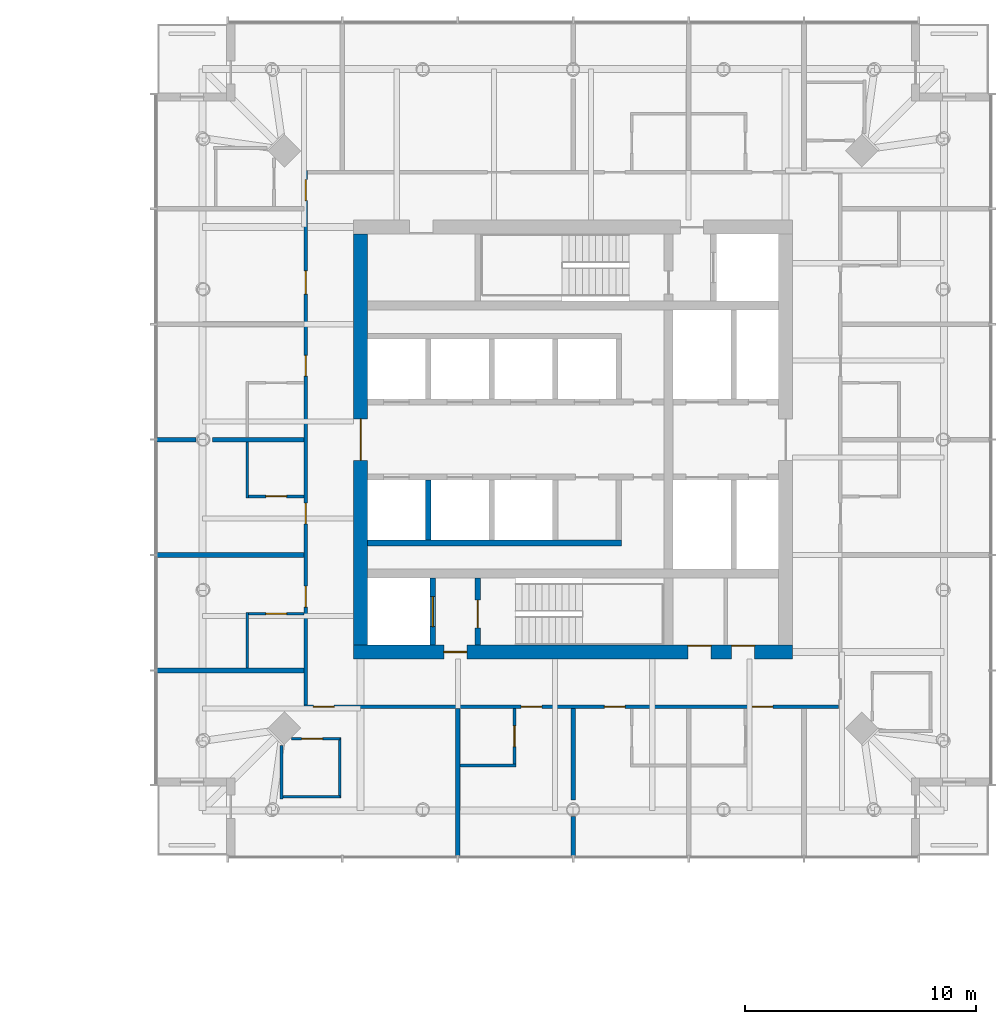
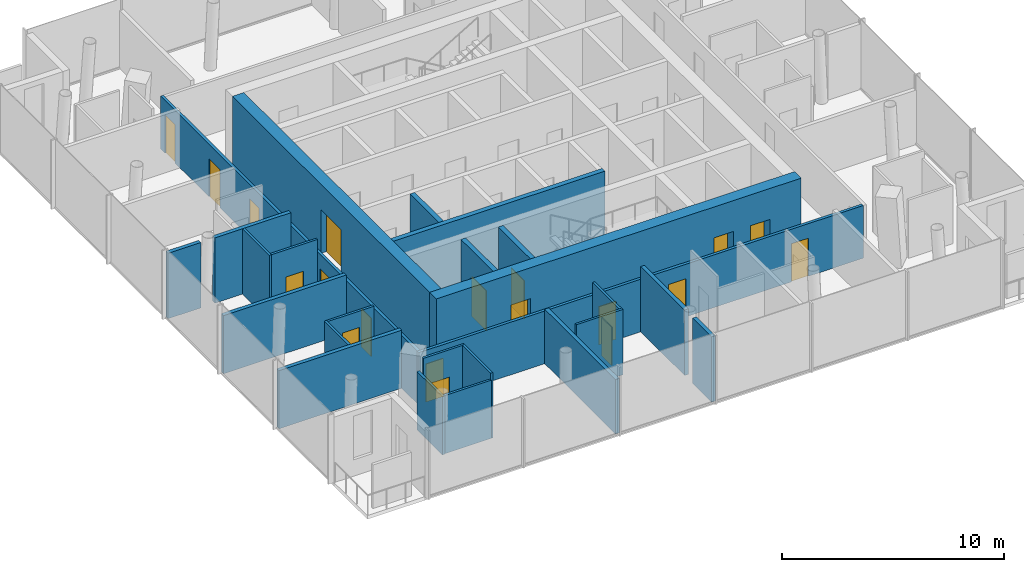
# One storey, part 13 of 27: 25 walls, 19 doors, 19 openings.
"""IFC4 building model written with IfcOpenShell, lengths in metres."""

from ifc_helpers import new_model, si_unit, direction, frame, frame_2d, origin, place, context, subcontext, project, spatial, rectangle, extrude, material, layer, layer_set, type_object, element, fill, save


model = new_model("IFC4")

# Units and contexts
model_context = context("Model", 3, precision=1e-05, world=origin(), true_north=direction((0.0, 1.0)))
body_context = subcontext(model_context, "Body", "Model", "MODEL_VIEW")
ifc_project = project(units=[si_unit("LENGTHUNIT", "METRE"), si_unit("AREAUNIT", "SQUARE_METRE"), si_unit("VOLUMEUNIT", "CUBIC_METRE"), si_unit("PLANEANGLEUNIT", "RADIAN"), si_unit("MASSUNIT", "GRAM", prefix="KILO")], contexts=[model_context])

# Site, building, storey
site_placement = place(None, origin())
site = spatial("IfcSite", under=ifc_project, at=site_placement, CompositionType="ELEMENT")
building_placement = place(site_placement, origin())
building = spatial("IfcBuilding", under=site, at=building_placement, Name="Ostroluk Exchange", CompositionType="ELEMENT")
storey_placement = place(building_placement, frame((0.0, 0.0, 89.39990234375)))
storey = spatial("IfcBuildingStorey", under=building, at=storey_placement, Name="L22", CompositionType="ELEMENT", Elevation=89.39990234375)

# Wall, opening, door
ifc_material_1 = material(Name="Concrete C40/50", Category="concrete")
ifc_layer_1 = layer(ifc_material_1, 0.25)
ifc_layer_set_1 = layer_set([ifc_layer_1], Name="Core shaft wall 250")
wall_type_1 = type_object("IfcWallType", Name="Core shaft wall 250", PredefinedType="SHEAR", material=ifc_layer_set_1)
wall_1_placement = place(storey_placement, frame((110.925048828125, 37.10009765625, 0.0), z_axis=(0.0, 0.0, 1.0), x_axis=(0.0, 1.0, 0.0)))
wall_1 = element("IfcWall", 1, at=wall_1_placement, inside=storey, type_object=wall_type_1, Name="Firefighting lift shaft wall", PredefinedType="SHEAR", context=body_context, shape_type="SweptSolid", body=[
    extrude(rectangle(XDim=2.89990234375, YDim=0.25, at=frame_2d((1.449951171875, 0.0))), origin(), (0.0, 0.0, 1.0), 3.800048828125),
])
opening_1_placement = place(wall_1_placement, frame((0.800048828125, 0.0, 0.0)))
opening_1 = element("IfcOpeningElement", 2, at=opening_1_placement, cuts=wall_1, Name="Opening LD2", PredefinedType="OPENING", context=body_context, shape_type="SweptSolid", body=[
    extrude(rectangle(XDim=1.300048828125, YDim=2.199951171875, at=frame_2d((0.64990234375, 1.10009765625))), frame((0.0, 0.135009765625, 0.0), z_axis=(0.0, -1.0, 0.0), x_axis=(1.0, 0.0, 0.0)), (0.0, 0.0, 1.0), 0.27001953125),
])
ifc_material_2 = material(Name="Stainless steel", Category="steel")
door_type_1 = type_object("IfcDoorType", Name="Lift landing door E 60 1300 x 2200", OperationType="DOUBLE_DOOR_SLIDING", PredefinedType="DOOR", material=ifc_material_2)
door_1_placement = place(opening_1_placement, origin())
door_1 = element("IfcDoor", 3, at=door_1_placement, inside=storey, type_object=door_type_1, Name="Lift HF1 landing door", OperationType="DOUBLE_DOOR_SLIDING", OverallHeight=2.199951171875, OverallWidth=1.300048828125, PredefinedType="DOOR", context=body_context, shape_type="SweptSolid", body=[
    extrude(rectangle(XDim=1.300048828125, YDim=2.199951171875, at=frame_2d((0.64990234375, 1.10009765625))), frame((0.0, 0.02490234375, 0.0), z_axis=(0.0, -1.0, 0.0), x_axis=(1.0, 0.0, 0.0)), (0.0, 0.0, 1.0), 0.050048828125),
])
fill(opening_1, door_1)

wall_2_placement = place(storey_placement, frame((112.875, 37.10009765625, 0.0), z_axis=(0.0, 0.0, 1.0), x_axis=(0.0, 1.0, 0.0)))
wall_2 = element("IfcWall", 4, at=wall_2_placement, inside=storey, type_object=wall_type_1, Name="Stair shaft wall", PredefinedType="SHEAR", context=body_context, shape_type="SweptSolid", body=[
    extrude(rectangle(XDim=2.89990234375, YDim=0.25, at=frame_2d((1.449951171875, 0.0))), origin(), (0.0, 0.0, 1.0), 3.800048828125),
])
opening_2_placement = place(wall_2_placement, frame((0.75, 0.0, 0.0)))
opening_2 = element("IfcOpeningElement", 5, at=opening_2_placement, cuts=wall_2, Name="Opening FD60S", PredefinedType="OPENING", context=body_context, shape_type="SweptSolid", body=[
    extrude(rectangle(XDim=1.199951171875, YDim=2.10009765625, at=frame_2d((0.60009765625, 1.050048828125))), frame((0.0, 0.135009765625, 0.0), z_axis=(0.0, -1.0, 0.0), x_axis=(1.0, 0.0, 0.0)), (0.0, 0.0, 1.0), 0.27001953125),
])
ifc_material_3 = material(Name="Steel", Category="steel")
door_type_2 = type_object("IfcDoorType", Name="Stair door EI 60 1200 x 2100", OperationType="SINGLE_SWING_LEFT", PredefinedType="DOOR", material=ifc_material_3)
door_2_placement = place(opening_2_placement, origin())
door_2 = element("IfcDoor", 6, at=door_2_placement, inside=storey, type_object=door_type_2, Name="Stair T2-S1 door", OperationType="SINGLE_SWING_LEFT", OverallHeight=2.10009765625, OverallWidth=1.199951171875, PredefinedType="DOOR", context=body_context, shape_type="SweptSolid", body=[
    extrude(rectangle(XDim=1.199951171875, YDim=2.10009765625, at=frame_2d((0.60009765625, 1.050048828125))), frame((0.0, 0.02490234375, 0.0), z_axis=(0.0, -1.0, 0.0), x_axis=(1.0, 0.0, 0.0)), (0.0, 0.0, 1.0), 0.050048828125),
])
fill(opening_2, door_2)

# Walls
wall_3_placement = place(storey_placement, frame((110.72509765625, 44.25, 0.0), z_axis=(0.0, 0.0, 1.0), x_axis=(0.0, -1.0, 0.0)))
element("IfcWall", 7, at=wall_3_placement, inside=storey, type_object=wall_type_1, Name="Lift shaft wall", PredefinedType="SHEAR", context=body_context, shape_type="SweptSolid", body=[
    extrude(rectangle(XDim=2.60009765625, YDim=0.25, at=frame_2d((1.300048828125, 0.0))), origin(), (0.0, 0.0, 1.0), 3.800048828125),
])
wall_4_placement = place(storey_placement, frame((108.10009765625, 41.52490234375, 0.0), z_axis=(0.0, 0.0, 1.0), x_axis=(1.0, 0.0, 0.0)))
element("IfcWall", 8, at=wall_4_placement, inside=storey, type_object=wall_type_1, Name="Lift shaft wall", PredefinedType="SHEAR", context=body_context, shape_type="SweptSolid", body=[
    extrude(rectangle(XDim=11.0, YDim=0.25, at=frame_2d((5.5, 0.0))), origin(), (0.0, 0.0, 1.0), 3.800048828125),
])

# Wall, openings, doors
ifc_material_4 = material(Name="Concrete C50/60", Category="concrete")
ifc_layer_2 = layer(ifc_material_4, 0.60009765625)
ifc_layer_set_2 = layer_set([ifc_layer_2], Name="Core wall 600 C50/60")
wall_type_2 = type_object("IfcWallType", Name="Core wall 600 C50/60", PredefinedType="SHEAR", material=ifc_layer_set_2)
wall_5_placement = place(storey_placement, frame((107.5, 36.800048828125, 0.0), z_axis=(0.0, 0.0, 1.0), x_axis=(1.0, 0.0, 0.0)))
wall_5 = element("IfcWall", 9, at=wall_5_placement, inside=storey, type_object=wall_type_2, Name="T2 core wall S", PredefinedType="SHEAR", context=body_context, shape_type="SweptSolid", body=[
    extrude(rectangle(XDim=19.0, YDim=0.60009765625, at=frame_2d((9.5, 0.0))), origin(), (0.0, 0.0, 1.0), 3.800048828125),
])
opening_3_placement = place(wall_5_placement, frame((3.89990234375, 0.0, 0.0)))
opening_3 = element("IfcOpeningElement", 10, at=opening_3_placement, cuts=wall_5, Name="Opening FD60", PredefinedType="OPENING", context=body_context, shape_type="SweptSolid", body=[
    extrude(rectangle(XDim=1.0, YDim=2.10009765625, at=frame_2d((0.5, 1.050048828125))), frame((0.0, 0.31005859375, 0.0), z_axis=(0.0, -1.0, 0.0), x_axis=(1.0, 0.0, 0.0)), (0.0, 0.0, 1.0), 0.6201171875),
])
opening_4_placement = place(wall_5_placement, frame((14.472412109375, 0.0, 0.0)))
opening_4 = element("IfcOpeningElement", 11, at=opening_4_placement, cuts=wall_5, Name="Opening FD60", PredefinedType="OPENING", context=body_context, shape_type="SweptSolid", body=[
    extrude(rectangle(XDim=1.0, YDim=2.10009765625, at=frame_2d((0.5, 1.050048828125))), frame((0.0, 0.31005859375, 0.0), z_axis=(0.0, -1.0, 0.0), x_axis=(1.0, 0.0, 0.0)), (0.0, 0.0, 1.0), 0.6201171875),
])
opening_5_placement = place(wall_5_placement, frame((16.364990234375, 0.0, 0.0)))
opening_5 = element("IfcOpeningElement", 12, at=opening_5_placement, cuts=wall_5, Name="Opening FD60", PredefinedType="OPENING", context=body_context, shape_type="SweptSolid", body=[
    extrude(rectangle(XDim=1.0, YDim=2.10009765625, at=frame_2d((0.5, 1.050048828125))), frame((0.0, 0.31005859375, 0.0), z_axis=(0.0, -1.0, 0.0), x_axis=(1.0, 0.0, 0.0)), (0.0, 0.0, 1.0), 0.6201171875),
])
ifc_material_5 = material(Name="Steel", Category="steel")
door_type_3 = type_object("IfcDoorType", Name="Fire door EI 60 1000 x 2100", OperationType="SINGLE_SWING_LEFT", PredefinedType="DOOR", material=ifc_material_5)
door_3_placement = place(opening_3_placement, origin())
door_3 = element("IfcDoor", 13, at=door_3_placement, inside=storey, type_object=door_type_3, Name="Firefighting lobby door", OperationType="SINGLE_SWING_LEFT", OverallHeight=2.10009765625, OverallWidth=1.0, PredefinedType="DOOR", context=body_context, shape_type="SweptSolid", body=[
    extrude(rectangle(XDim=1.0, YDim=2.10009765625, at=frame_2d((0.5, 1.050048828125))), frame((0.0, 0.02490234375, 0.0), z_axis=(0.0, -1.0, 0.0), x_axis=(1.0, 0.0, 0.0)), (0.0, 0.0, 1.0), 0.050048828125),
])
fill(opening_3, door_3)
door_4_placement = place(opening_4_placement, origin())
door_4 = element("IfcDoor", 14, at=door_4_placement, inside=storey, type_object=door_type_3, Name="Room-service pantry door", OperationType="SINGLE_SWING_RIGHT", OverallHeight=2.10009765625, OverallWidth=1.0, PredefinedType="DOOR", context=body_context, shape_type="SweptSolid", body=[
    extrude(rectangle(XDim=1.0, YDim=2.10009765625, at=frame_2d((0.5, 1.050048828125))), frame((0.0, 0.2900390625, 0.0), z_axis=(0.0, -1.0, 0.0), x_axis=(1.0, 0.0, 0.0)), (0.0, 0.0, 1.0), 0.050048828125),
])
fill(opening_4, door_4)
door_5_placement = place(opening_5_placement, origin())
door_5 = element("IfcDoor", 15, at=door_5_placement, inside=storey, type_object=door_type_3, Name="Guest pantry door", OperationType="SINGLE_SWING_RIGHT", OverallHeight=2.10009765625, OverallWidth=1.0, PredefinedType="DOOR", context=body_context, shape_type="SweptSolid", body=[
    extrude(rectangle(XDim=1.0, YDim=2.10009765625, at=frame_2d((0.5, 1.050048828125))), frame((0.0, 0.2900390625, 0.0), z_axis=(0.0, -1.0, 0.0), x_axis=(1.0, 0.0, 0.0)), (0.0, 0.0, 1.0), 0.050048828125),
])
fill(opening_5, door_5)

# Wall, opening, door
wall_6_placement = place(storey_placement, frame((107.800048828125, 37.10009765625, 0.0), z_axis=(0.0, 0.0, 1.0), x_axis=(0.0, 1.0, 0.0)))
wall_6 = element("IfcWall", 16, at=wall_6_placement, inside=storey, type_object=wall_type_2, Name="T2 core wall W", PredefinedType="SHEAR", context=body_context, shape_type="SweptSolid", body=[
    extrude(rectangle(XDim=17.7998046875, YDim=0.60009765625, at=frame_2d((8.89990234375, 0.0))), origin(), (0.0, 0.0, 1.0), 3.800048828125),
])
opening_6_placement = place(wall_6_placement, frame((8.0, 0.0, 0.0)))
opening_6 = element("IfcOpeningElement", 17, at=opening_6_placement, cuts=wall_6, Name="Opening FD30D", PredefinedType="OPENING", context=body_context, shape_type="SweptSolid", body=[
    extrude(rectangle(XDim=1.800048828125, YDim=2.39990234375, at=frame_2d((0.89990234375, 1.199951171875))), frame((0.0, 0.31005859375, 0.0), z_axis=(0.0, -1.0, 0.0), x_axis=(1.0, 0.0, 0.0)), (0.0, 0.0, 1.0), 0.6201171875),
])
ifc_material_6 = material(Name="Timber", Category="wood")
door_type_4 = type_object("IfcDoorType", Name="Lobby double door EI 30 1800 x 2400", OperationType="DOUBLE_DOOR_SINGLE_SWING", PredefinedType="DOOR", material=ifc_material_6)
door_6_placement = place(opening_6_placement, origin())
door_6 = element("IfcDoor", 18, at=door_6_placement, inside=storey, type_object=door_type_4, Name="Lift lobby doors", OperationType="DOUBLE_DOOR_SINGLE_SWING", OverallHeight=2.39990234375, OverallWidth=1.800048828125, PredefinedType="DOOR", context=body_context, shape_type="SweptSolid", body=[
    extrude(rectangle(XDim=1.800048828125, YDim=2.39990234375, at=frame_2d((0.89990234375, 1.199951171875))), frame((0.0, 0.02490234375, 0.0), z_axis=(0.0, -1.0, 0.0), x_axis=(1.0, 0.0, 0.0)), (0.0, 0.0, 1.0), 0.050048828125),
])
fill(opening_6, door_6)

# Wall
ifc_material_7 = material(Name="Gypsum plasterboard partition, moisture resistant", Category="gypsum")
ifc_layer_3 = layer(ifc_material_7, 0.1201171875)
ifc_layer_set_3 = layer_set([ifc_layer_3], Name="Plasterboard en-suite wall 120")
wall_type_3 = type_object("IfcWallType", Name="Plasterboard en-suite wall 120", PredefinedType="PARTITIONING", material=ifc_layer_set_3)
wall_7_placement = place(storey_placement, frame((102.889892578125, 45.89990234375, 0.0), z_axis=(0.0, 0.0, 1.0), x_axis=(0.0, -1.0, 0.0)))
element("IfcWall", 19, at=wall_7_placement, inside=storey, type_object=wall_type_3, Name="En-suite wall", PredefinedType="PARTITIONING", context=body_context, shape_type="SweptSolid", body=[
    extrude(rectangle(XDim=2.419921875, YDim=0.1201171875, at=frame_2d((1.2099609375, 0.0))), origin(), (0.0, 0.0, 1.0), 3.60009765625),
])

# Wall, opening, door
wall_8_placement = place(storey_placement, frame((105.35009765625, 43.5400390625, 0.0), z_axis=(0.0, 0.0, 1.0), x_axis=(-1.0, 0.0, 0.0)))
wall_8 = element("IfcWall", 20, at=wall_8_placement, inside=storey, type_object=wall_type_3, Name="En-suite wall", PredefinedType="PARTITIONING", context=body_context, shape_type="SweptSolid", body=[
    extrude(rectangle(XDim=2.400146484375, YDim=0.1201171875, at=frame_2d((1.2001953125, 0.0))), origin(), (0.0, 0.0, 1.0), 3.60009765625),
])
opening_7_placement = place(wall_8_placement, frame((0.75, 0.0, 0.0)))
opening_7 = element("IfcOpeningElement", 21, at=opening_7_placement, cuts=wall_8, Name="Opening D-02", PredefinedType="OPENING", context=body_context, shape_type="SweptSolid", body=[
    extrude(rectangle(XDim=0.89990234375, YDim=2.10009765625, at=frame_2d((0.449951171875, 1.050048828125))), frame((0.0, 0.070068359375, 0.0), z_axis=(0.0, -1.0, 0.0), x_axis=(1.0, 0.0, 0.0)), (0.0, 0.0, 1.0), 0.14013671875),
])
ifc_material_8 = material(Name="Timber", Category="wood")
door_type_5 = type_object("IfcDoorType", Name="En-suite door 900 x 2100", OperationType="SINGLE_SWING_LEFT", PredefinedType="DOOR", material=ifc_material_8)
door_7_placement = place(opening_7_placement, origin())
door_7 = element("IfcDoor", 22, at=door_7_placement, inside=storey, type_object=door_type_5, Name="En-suite door 2210", OperationType="SINGLE_SWING_RIGHT", OverallHeight=2.10009765625, OverallWidth=0.89990234375, PredefinedType="DOOR", context=body_context, shape_type="SweptSolid", body=[
    extrude(rectangle(XDim=0.89990234375, YDim=2.10009765625, at=frame_2d((0.449951171875, 1.050048828125))), frame((0.0, 0.02490234375, 0.0), z_axis=(0.0, -1.0, 0.0), x_axis=(1.0, 0.0, 0.0)), (0.0, 0.0, 1.0), 0.050048828125),
])
fill(opening_7, door_7)

# Wall
wall_9_placement = place(storey_placement, frame((102.889892578125, 38.52001953125, 0.0), z_axis=(0.0, 0.0, 1.0), x_axis=(0.0, -1.0, 0.0)))
element("IfcWall", 23, at=wall_9_placement, inside=storey, type_object=wall_type_3, Name="En-suite wall", PredefinedType="PARTITIONING", context=body_context, shape_type="SweptSolid", body=[
    extrude(rectangle(XDim=2.419921875, YDim=0.1201171875, at=frame_2d((1.2099609375, 0.0))), origin(), (0.0, 0.0, 1.0), 3.0),
])

# Wall, opening, door
wall_10_placement = place(storey_placement, frame((105.35009765625, 38.4599609375, 0.0), z_axis=(0.0, 0.0, 1.0), x_axis=(-1.0, 0.0, 0.0)))
wall_10 = element("IfcWall", 24, at=wall_10_placement, inside=storey, type_object=wall_type_3, Name="En-suite wall", PredefinedType="PARTITIONING", context=body_context, shape_type="SweptSolid", body=[
    extrude(rectangle(XDim=2.400146484375, YDim=0.1201171875, at=frame_2d((1.2001953125, 0.0))), origin(), (0.0, 0.0, 1.0), 3.0),
])
opening_8_placement = place(wall_10_placement, frame((0.75, 0.0, 0.0)))
opening_8 = element("IfcOpeningElement", 25, at=opening_8_placement, cuts=wall_10, Name="Opening D-02", PredefinedType="OPENING", context=body_context, shape_type="SweptSolid", body=[
    extrude(rectangle(XDim=0.89990234375, YDim=2.10009765625, at=frame_2d((0.449951171875, 1.050048828125))), frame((0.0, 0.070068359375, 0.0), z_axis=(0.0, -1.0, 0.0), x_axis=(1.0, 0.0, 0.0)), (0.0, 0.0, 1.0), 0.14013671875),
])
door_8_placement = place(opening_8_placement, origin())
door_8 = element("IfcDoor", 26, at=door_8_placement, inside=storey, type_object=door_type_5, Name="En-suite door 2211", OperationType="SINGLE_SWING_RIGHT", OverallHeight=2.10009765625, OverallWidth=0.89990234375, PredefinedType="DOOR", context=body_context, shape_type="SweptSolid", body=[
    extrude(rectangle(XDim=0.89990234375, YDim=2.10009765625, at=frame_2d((0.449951171875, 1.050048828125))), frame((0.0, 0.02490234375, 0.0), z_axis=(0.0, -1.0, 0.0), x_axis=(1.0, 0.0, 0.0)), (0.0, 0.0, 1.0), 0.050048828125),
])
fill(opening_8, door_8)

wall_11_placement = place(storey_placement, frame((106.89990234375, 33.050048828125, 0.0), z_axis=(0.0, 0.0, 1.0), x_axis=(-1.0, 0.0, 0.0)))
wall_11 = element("IfcWall", 27, at=wall_11_placement, inside=storey, type_object=wall_type_3, Name="En-suite wall", PredefinedType="PARTITIONING", context=body_context, shape_type="SweptSolid", body=[
    extrude(rectangle(XDim=2.082763671875, YDim=0.1201171875, at=frame_2d((1.04150390625, 0.0))), origin(), (0.0, 0.0, 1.0), 3.60009765625),
])
opening_9_placement = place(wall_11_placement, frame((0.75, 0.0, 0.0)))
opening_9 = element("IfcOpeningElement", 28, at=opening_9_placement, cuts=wall_11, Name="Opening D-02", PredefinedType="OPENING", context=body_context, shape_type="SweptSolid", body=[
    extrude(rectangle(XDim=0.89990234375, YDim=2.10009765625, at=frame_2d((0.449951171875, 1.050048828125))), frame((0.0, 0.070068359375, 0.0), z_axis=(0.0, -1.0, 0.0), x_axis=(1.0, 0.0, 0.0)), (0.0, 0.0, 1.0), 0.14013671875),
])
door_9_placement = place(opening_9_placement, origin())
door_9 = element("IfcDoor", 29, at=door_9_placement, inside=storey, type_object=door_type_5, Name="En-suite door 2212", OperationType="SINGLE_SWING_RIGHT", OverallHeight=2.10009765625, OverallWidth=0.89990234375, PredefinedType="DOOR", context=body_context, shape_type="SweptSolid", body=[
    extrude(rectangle(XDim=0.89990234375, YDim=2.10009765625, at=frame_2d((0.449951171875, 1.050048828125))), frame((0.0, 0.02490234375, 0.0), z_axis=(0.0, -1.0, 0.0), x_axis=(1.0, 0.0, 0.0)), (0.0, 0.0, 1.0), 0.050048828125),
])
fill(opening_9, door_9)

# Walls
wall_12_placement = place(storey_placement, frame((106.89990234375, 30.530029296875, 0.0), z_axis=(0.0, 0.0, 1.0), x_axis=(-1.0, 0.0, 0.0)))
element("IfcWall", 30, at=wall_12_placement, inside=storey, type_object=wall_type_3, Name="En-suite wall", PredefinedType="PARTITIONING", context=body_context, shape_type="SweptSolid", body=[
    extrude(rectangle(XDim=2.579833984375, YDim=0.1201171875, at=frame_2d((1.2900390625, 0.0))), origin(), (0.0, 0.0, 1.0), 3.2001953125),
])
wall_13_placement = place(storey_placement, frame((104.3798828125, 32.74951171875, 0.0), z_axis=(0.0, 0.0, 1.0), x_axis=(0.0, -1.0, 0.0)))
element("IfcWall", 31, at=wall_13_placement, inside=storey, type_object=wall_type_3, Name="En-suite wall", PredefinedType="PARTITIONING", context=body_context, shape_type="SweptSolid", body=[
    extrude(rectangle(XDim=2.3095703125, YDim=0.1201171875, at=frame_2d((1.15478515625, 0.0))), origin(), (0.0, 0.0, 1.0), 3.2001953125),
])
wall_14_placement = place(storey_placement, frame((106.89990234375, 33.110107421875, 0.0), z_axis=(0.0, 0.0, 1.0), x_axis=(0.0, -1.0, 0.0)))
element("IfcWall", 32, at=wall_14_placement, inside=storey, type_object=wall_type_3, Name="En-suite wall", PredefinedType="PARTITIONING", context=body_context, shape_type="SweptSolid", body=[
    extrude(rectangle(XDim=2.64013671875, YDim=0.1201171875, at=frame_2d((1.320068359375, 0.0))), origin(), (0.0, 0.0, 1.0), 3.60009765625),
])
wall_15_placement = place(storey_placement, frame((112.10009765625, 31.889892578125, 0.0), z_axis=(0.0, 0.0, 1.0), x_axis=(1.0, 0.0, 0.0)))
element("IfcWall", 33, at=wall_15_placement, inside=storey, type_object=wall_type_3, Name="En-suite wall", PredefinedType="PARTITIONING", context=body_context, shape_type="SweptSolid", body=[
    extrude(rectangle(XDim=2.419921875, YDim=0.1201171875, at=frame_2d((1.2099609375, 0.0))), origin(), (0.0, 0.0, 1.0), 3.60009765625),
])

# Wall, opening, door
wall_16_placement = place(storey_placement, frame((114.4599609375, 34.35009765625, 0.0), z_axis=(0.0, 0.0, 1.0), x_axis=(0.0, -1.0, 0.0)))
wall_16 = element("IfcWall", 34, at=wall_16_placement, inside=storey, type_object=wall_type_3, Name="En-suite wall", PredefinedType="PARTITIONING", context=body_context, shape_type="SweptSolid", body=[
    extrude(rectangle(XDim=2.400146484375, YDim=0.1201171875, at=frame_2d((1.2001953125, 0.0))), origin(), (0.0, 0.0, 1.0), 3.60009765625),
])
opening_10_placement = place(wall_16_placement, frame((0.75, 0.0, 0.0)))
opening_10 = element("IfcOpeningElement", 35, at=opening_10_placement, cuts=wall_16, Name="Opening D-02", PredefinedType="OPENING", context=body_context, shape_type="SweptSolid", body=[
    extrude(rectangle(XDim=0.89990234375, YDim=2.10009765625, at=frame_2d((0.449951171875, 1.050048828125))), frame((0.0, 0.070068359375, 0.0), z_axis=(0.0, -1.0, 0.0), x_axis=(1.0, 0.0, 0.0)), (0.0, 0.0, 1.0), 0.14013671875),
])
door_10_placement = place(opening_10_placement, origin())
door_10 = element("IfcDoor", 36, at=door_10_placement, inside=storey, type_object=door_type_5, Name="En-suite door 2213", OperationType="SINGLE_SWING_LEFT", OverallHeight=2.10009765625, OverallWidth=0.89990234375, PredefinedType="DOOR", context=body_context, shape_type="SweptSolid", body=[
    extrude(rectangle(XDim=0.89990234375, YDim=2.10009765625, at=frame_2d((0.449951171875, 1.050048828125))), frame((0.0, 0.02490234375, 0.0), z_axis=(0.0, -1.0, 0.0), x_axis=(1.0, 0.0, 0.0)), (0.0, 0.0, 1.0), 0.050048828125),
])
fill(opening_10, door_10)

# Wall, openings, doors
ifc_material_9 = material(Name="Gypsum plasterboard partition", Category="gypsum")
ifc_layer_4 = layer(ifc_material_9, 0.14990234375)
ifc_layer_set_4 = layer_set([ifc_layer_4], Name="Plasterboard partition 150")
wall_type_4 = type_object("IfcWallType", Name="Plasterboard partition 150", PredefinedType="PARTITIONING", material=ifc_layer_set_4)
wall_17_placement = place(storey_placement, frame((105.425048828125, 57.64990234375, 0.0), z_axis=(0.0, 0.0, 1.0), x_axis=(0.0, -1.0, 0.0)))
wall_17 = element("IfcWall", 37, at=wall_17_placement, inside=storey, type_object=wall_type_4, Name="Corridor wall", PredefinedType="PARTITIONING", context=body_context, shape_type="SweptSolid", body=[
    extrude(rectangle(XDim=23.14990234375, YDim=0.14990234375, at=frame_2d((11.574951171875, 0.0))), origin(), (0.0, 0.0, 1.0), 2.900146484375),
])
opening_11_placement = place(wall_17_placement, frame((0.39990234375, 0.0, 0.0)))
opening_11 = element("IfcOpeningElement", 38, at=opening_11_placement, cuts=wall_17, Name="Opening D-01", PredefinedType="OPENING", context=body_context, shape_type="SweptSolid", body=[
    extrude(rectangle(XDim=0.89990234375, YDim=2.10009765625, at=frame_2d((0.449951171875, 1.050048828125))), frame((0.0, 0.0849609375, 0.0), z_axis=(0.0, -1.0, 0.0), x_axis=(1.0, 0.0, 0.0)), (0.0, 0.0, 1.0), 0.169921875),
])
opening_12_placement = place(wall_17_placement, frame((4.35009765625, 0.0, 0.0)))
opening_12 = element("IfcOpeningElement", 39, at=opening_12_placement, cuts=wall_17, Name="Opening D-03", PredefinedType="OPENING", context=body_context, shape_type="SweptSolid", body=[
    extrude(rectangle(XDim=1.0, YDim=2.10009765625, at=frame_2d((0.5, 1.050048828125))), frame((0.0, 0.0849609375, 0.0), z_axis=(0.0, -1.0, 0.0), x_axis=(1.0, 0.0, 0.0)), (0.0, 0.0, 1.0), 0.169921875),
])
opening_13_placement = place(wall_17_placement, frame((8.0, 0.0, 0.0)))
opening_13 = element("IfcOpeningElement", 40, at=opening_13_placement, cuts=wall_17, Name="Opening D-01", PredefinedType="OPENING", context=body_context, shape_type="SweptSolid", body=[
    extrude(rectangle(XDim=0.89990234375, YDim=2.10009765625, at=frame_2d((0.449951171875, 1.050048828125))), frame((0.0, 0.0849609375, 0.0), z_axis=(0.0, -1.0, 0.0), x_axis=(1.0, 0.0, 0.0)), (0.0, 0.0, 1.0), 0.169921875),
])
opening_14_placement = place(wall_17_placement, frame((14.39990234375, 0.0, 0.0)))
opening_14 = element("IfcOpeningElement", 41, at=opening_14_placement, cuts=wall_17, Name="Opening D-01", PredefinedType="OPENING", context=body_context, shape_type="SweptSolid", body=[
    extrude(rectangle(XDim=0.89990234375, YDim=2.10009765625, at=frame_2d((0.449951171875, 1.050048828125))), frame((0.0, 0.0849609375, 0.0), z_axis=(0.0, -1.0, 0.0), x_axis=(1.0, 0.0, 0.0)), (0.0, 0.0, 1.0), 0.169921875),
])
opening_15_placement = place(wall_17_placement, frame((18.0, 0.0, 0.0)))
opening_15 = element("IfcOpeningElement", 42, at=opening_15_placement, cuts=wall_17, Name="Opening D-01", PredefinedType="OPENING", context=body_context, shape_type="SweptSolid", body=[
    extrude(rectangle(XDim=0.89990234375, YDim=2.10009765625, at=frame_2d((0.449951171875, 1.050048828125))), frame((0.0, 0.0849609375, 0.0), z_axis=(0.0, -1.0, 0.0), x_axis=(1.0, 0.0, 0.0)), (0.0, 0.0, 1.0), 0.169921875),
])
ifc_material_10 = material(Name="Timber", Category="wood")
door_type_6 = type_object("IfcDoorType", Name="Hotel room door EI 30 Sa 900 x 2100", OperationType="SINGLE_SWING_LEFT", PredefinedType="DOOR", material=ifc_material_10)
door_11_placement = place(opening_11_placement, origin())
door_11 = element("IfcDoor", 43, at=door_11_placement, inside=storey, type_object=door_type_6, Name="Room door 2208", OperationType="SINGLE_SWING_LEFT", OverallHeight=2.10009765625, OverallWidth=0.89990234375, PredefinedType="DOOR", context=body_context, shape_type="SweptSolid", body=[
    extrude(rectangle(XDim=0.89990234375, YDim=2.10009765625, at=frame_2d((0.449951171875, 1.050048828125))), frame((0.0, 0.02490234375, 0.0), z_axis=(0.0, -1.0, 0.0), x_axis=(1.0, 0.0, 0.0)), (0.0, 0.0, 1.0), 0.050048828125),
])
fill(opening_11, door_11)
door_12_placement = place(opening_13_placement, origin())
door_12 = element("IfcDoor", 44, at=door_12_placement, inside=storey, type_object=door_type_6, Name="Room door 2209", OperationType="SINGLE_SWING_LEFT", OverallHeight=2.10009765625, OverallWidth=0.89990234375, PredefinedType="DOOR", context=body_context, shape_type="SweptSolid", body=[
    extrude(rectangle(XDim=0.89990234375, YDim=2.10009765625, at=frame_2d((0.449951171875, 1.050048828125))), frame((0.0, 0.02490234375, 0.0), z_axis=(0.0, -1.0, 0.0), x_axis=(1.0, 0.0, 0.0)), (0.0, 0.0, 1.0), 0.050048828125),
])
fill(opening_13, door_12)
door_13_placement = place(opening_14_placement, origin())
door_13 = element("IfcDoor", 45, at=door_13_placement, inside=storey, type_object=door_type_6, Name="Room door 2210", OperationType="SINGLE_SWING_RIGHT", OverallHeight=2.10009765625, OverallWidth=0.89990234375, PredefinedType="DOOR", context=body_context, shape_type="SweptSolid", body=[
    extrude(rectangle(XDim=0.89990234375, YDim=2.10009765625, at=frame_2d((0.449951171875, 1.050048828125))), frame((0.0, 0.02490234375, 0.0), z_axis=(0.0, -1.0, 0.0), x_axis=(1.0, 0.0, 0.0)), (0.0, 0.0, 1.0), 0.050048828125),
])
fill(opening_14, door_13)
door_14_placement = place(opening_15_placement, origin())
door_14 = element("IfcDoor", 46, at=door_14_placement, inside=storey, type_object=door_type_6, Name="Room door 2211", OperationType="SINGLE_SWING_RIGHT", OverallHeight=2.10009765625, OverallWidth=0.89990234375, PredefinedType="DOOR", context=body_context, shape_type="SweptSolid", body=[
    extrude(rectangle(XDim=0.89990234375, YDim=2.10009765625, at=frame_2d((0.449951171875, 1.050048828125))), frame((0.0, 0.02490234375, 0.0), z_axis=(0.0, -1.0, 0.0), x_axis=(1.0, 0.0, 0.0)), (0.0, 0.0, 1.0), 0.050048828125),
])
fill(opening_15, door_14)
ifc_material_11 = material(Name="Timber", Category="wood")
door_type_7 = type_object("IfcDoorType", Name="Internal door 1000 x 2100", OperationType="SINGLE_SWING_LEFT", PredefinedType="DOOR", material=ifc_material_11)
door_15_placement = place(opening_12_placement, origin())
door_15 = element("IfcDoor", 47, at=door_15_placement, inside=storey, type_object=door_type_7, Name="Housekeeping store door", OperationType="SINGLE_SWING_LEFT", OverallHeight=2.10009765625, OverallWidth=1.0, PredefinedType="DOOR", context=body_context, shape_type="SweptSolid", body=[
    extrude(rectangle(XDim=1.0, YDim=2.10009765625, at=frame_2d((0.5, 1.050048828125))), frame((0.0, 0.02490234375, 0.0), z_axis=(0.0, -1.0, 0.0), x_axis=(1.0, 0.0, 0.0)), (0.0, 0.0, 1.0), 0.050048828125),
])
fill(opening_12, door_15)

wall_18_placement = place(storey_placement, frame((105.35009765625, 34.425048828125, 0.0), z_axis=(0.0, 0.0, 1.0), x_axis=(1.0, 0.0, 0.0)))
wall_18 = element("IfcWall", 48, at=wall_18_placement, inside=storey, type_object=wall_type_4, Name="Corridor wall", PredefinedType="PARTITIONING", context=body_context, shape_type="SweptSolid", body=[
    extrude(rectangle(XDim=23.14990234375, YDim=0.14990234375, at=frame_2d((11.574951171875, 0.0))), origin(), (0.0, 0.0, 1.0), 2.900146484375),
])
opening_16_placement = place(wall_18_placement, frame((0.39990234375, 0.0, 0.0)))
opening_16 = element("IfcOpeningElement", 49, at=opening_16_placement, cuts=wall_18, Name="Opening D-01", PredefinedType="OPENING", context=body_context, shape_type="SweptSolid", body=[
    extrude(rectangle(XDim=0.89990234375, YDim=2.10009765625, at=frame_2d((0.449951171875, 1.050048828125))), frame((0.0, 0.0849609375, 0.0), z_axis=(0.0, -1.0, 0.0), x_axis=(1.0, 0.0, 0.0)), (0.0, 0.0, 1.0), 0.169921875),
])
opening_17_placement = place(wall_18_placement, frame((9.39990234375, 0.0, 0.0)))
opening_17 = element("IfcOpeningElement", 50, at=opening_17_placement, cuts=wall_18, Name="Opening D-01", PredefinedType="OPENING", context=body_context, shape_type="SweptSolid", body=[
    extrude(rectangle(XDim=0.89990234375, YDim=2.10009765625, at=frame_2d((0.449951171875, 1.050048828125))), frame((0.0, 0.0849609375, 0.0), z_axis=(0.0, -1.0, 0.0), x_axis=(1.0, 0.0, 0.0)), (0.0, 0.0, 1.0), 0.169921875),
])
opening_18_placement = place(wall_18_placement, frame((13.0, 0.0, 0.0)))
opening_18 = element("IfcOpeningElement", 51, at=opening_18_placement, cuts=wall_18, Name="Opening D-01", PredefinedType="OPENING", context=body_context, shape_type="SweptSolid", body=[
    extrude(rectangle(XDim=0.89990234375, YDim=2.10009765625, at=frame_2d((0.449951171875, 1.050048828125))), frame((0.0, 0.0849609375, 0.0), z_axis=(0.0, -1.0, 0.0), x_axis=(1.0, 0.0, 0.0)), (0.0, 0.0, 1.0), 0.169921875),
])
opening_19_placement = place(wall_18_placement, frame((19.39990234375, 0.0, 0.0)))
opening_19 = element("IfcOpeningElement", 52, at=opening_19_placement, cuts=wall_18, Name="Opening D-01", PredefinedType="OPENING", context=body_context, shape_type="SweptSolid", body=[
    extrude(rectangle(XDim=0.89990234375, YDim=2.10009765625, at=frame_2d((0.449951171875, 1.050048828125))), frame((0.0, 0.0849609375, 0.0), z_axis=(0.0, -1.0, 0.0), x_axis=(1.0, 0.0, 0.0)), (0.0, 0.0, 1.0), 0.169921875),
])
door_16_placement = place(opening_16_placement, origin())
door_16 = element("IfcDoor", 53, at=door_16_placement, inside=storey, type_object=door_type_6, Name="Room door 2212", OperationType="SINGLE_SWING_LEFT", OverallHeight=2.10009765625, OverallWidth=0.89990234375, PredefinedType="DOOR", context=body_context, shape_type="SweptSolid", body=[
    extrude(rectangle(XDim=0.89990234375, YDim=2.10009765625, at=frame_2d((0.449951171875, 1.050048828125))), frame((0.0, 0.02490234375, 0.0), z_axis=(0.0, -1.0, 0.0), x_axis=(1.0, 0.0, 0.0)), (0.0, 0.0, 1.0), 0.050048828125),
])
fill(opening_16, door_16)
door_17_placement = place(opening_17_placement, origin())
door_17 = element("IfcDoor", 54, at=door_17_placement, inside=storey, type_object=door_type_6, Name="Room door 2213", OperationType="SINGLE_SWING_LEFT", OverallHeight=2.10009765625, OverallWidth=0.89990234375, PredefinedType="DOOR", context=body_context, shape_type="SweptSolid", body=[
    extrude(rectangle(XDim=0.89990234375, YDim=2.10009765625, at=frame_2d((0.449951171875, 1.050048828125))), frame((0.0, 0.02490234375, 0.0), z_axis=(0.0, -1.0, 0.0), x_axis=(1.0, 0.0, 0.0)), (0.0, 0.0, 1.0), 0.050048828125),
])
fill(opening_17, door_17)
door_18_placement = place(opening_18_placement, origin())
door_18 = element("IfcDoor", 55, at=door_18_placement, inside=storey, type_object=door_type_6, Name="Room door 2214", OperationType="SINGLE_SWING_RIGHT", OverallHeight=2.10009765625, OverallWidth=0.89990234375, PredefinedType="DOOR", context=body_context, shape_type="SweptSolid", body=[
    extrude(rectangle(XDim=0.89990234375, YDim=2.10009765625, at=frame_2d((0.449951171875, 1.050048828125))), frame((0.0, 0.02490234375, 0.0), z_axis=(0.0, -1.0, 0.0), x_axis=(1.0, 0.0, 0.0)), (0.0, 0.0, 1.0), 0.050048828125),
])
fill(opening_18, door_18)
door_19_placement = place(opening_19_placement, origin())
door_19 = element("IfcDoor", 56, at=door_19_placement, inside=storey, type_object=door_type_6, Name="Room door 2215", OperationType="SINGLE_SWING_RIGHT", OverallHeight=2.10009765625, OverallWidth=0.89990234375, PredefinedType="DOOR", context=body_context, shape_type="SweptSolid", body=[
    extrude(rectangle(XDim=0.89990234375, YDim=2.10009765625, at=frame_2d((0.449951171875, 1.050048828125))), frame((0.0, 0.02490234375, 0.0), z_axis=(0.0, -1.0, 0.0), x_axis=(1.0, 0.0, 0.0)), (0.0, 0.0, 1.0), 0.050048828125),
])
fill(opening_19, door_19)

# Walls
ifc_material_12 = material(Name="Gypsum plasterboard partition", Category="gypsum")
ifc_layer_5 = layer(ifc_material_12, 0.199951171875)
ifc_layer_set_5 = layer_set([ifc_layer_5], Name="Plasterboard party wall 200")
wall_type_5 = type_object("IfcWallType", Name="Plasterboard party wall 200", PredefinedType="PARTITIONING", material=ifc_layer_set_5)
wall_19_placement = place(storey_placement, frame((105.35009765625, 46.0, 0.0), z_axis=(0.0, 0.0, 1.0), x_axis=(-1.0, 0.0, 0.0)))
element("IfcWall", 57, at=wall_19_placement, inside=storey, type_object=wall_type_5, Name="Party wall", PredefinedType="PARTITIONING", context=body_context, shape_type="SweptSolid", body=[
    extrude(rectangle(XDim=3.95849609375, YDim=0.199951171875, at=frame_2d((1.979248046875, 0.0))), origin(), (0.0, 0.0, 1.0), 3.60009765625),
])
wall_20_placement = place(storey_placement, frame((100.668701171875, 46.0, 0.0), z_axis=(0.0, 0.0, 1.0), x_axis=(-1.0, 0.0, 0.0)))
element("IfcWall", 58, at=wall_20_placement, inside=storey, type_object=wall_type_5, Name="Party wall", PredefinedType="PARTITIONING", context=body_context, shape_type="SweptSolid", body=[
    extrude(rectangle(XDim=1.708740234375, YDim=0.199951171875, at=frame_2d((0.8544921875, 0.0))), origin(), (0.0, 0.0, 1.0), 3.60009765625),
])
for number, where, z_axis, x_axis, name in (
    (59, (105.35009765625, 41.0, 0.0), (0.0, 0.0, 1.0), (-1.0, 0.0, 0.0), "Party wall"),
    (60, (105.35009765625, 36.0, 0.0), (0.0, 0.0, 1.0), (-1.0, 0.0, 0.0), "Party wall"),
):
    element("IfcWall", number, at=place(storey_placement, frame(where, z_axis=z_axis, x_axis=x_axis)), inside=storey, type_object=wall_type_5, Name=name, PredefinedType="PARTITIONING", context=body_context, shape_type="SweptSolid", body=[
        extrude(rectangle(XDim=6.39013671875, YDim=0.199951171875, at=frame_2d((3.195068359375, 0.0))), origin(), (0.0, 0.0, 1.0), 3.2001953125),
    ])
wall_21_placement = place(storey_placement, frame((112.0, 34.35009765625, 0.0), z_axis=(0.0, 0.0, 1.0), x_axis=(0.0, -1.0, 0.0)))
element("IfcWall", 61, at=wall_21_placement, inside=storey, type_object=wall_type_5, Name="Party wall", PredefinedType="PARTITIONING", context=body_context, shape_type="SweptSolid", body=[
    extrude(rectangle(XDim=6.39013671875, YDim=0.199951171875, at=frame_2d((3.195068359375, 0.0))), origin(), (0.0, 0.0, 1.0), 3.0),
])
wall_22_placement = place(storey_placement, frame((117.0, 34.35009765625, 0.0), z_axis=(0.0, 0.0, 1.0), x_axis=(0.0, -1.0, 0.0)))
element("IfcWall", 62, at=wall_22_placement, inside=storey, type_object=wall_type_5, Name="Party wall", PredefinedType="PARTITIONING", context=body_context, shape_type="SweptSolid", body=[
    extrude(rectangle(XDim=3.95849609375, YDim=0.199951171875, at=frame_2d((1.979248046875, 0.0))), origin(), (0.0, 0.0, 1.0), 3.60009765625),
])
wall_23_placement = place(storey_placement, frame((117.0, 29.668701171875, 0.0), z_axis=(0.0, 0.0, 1.0), x_axis=(0.0, -1.0, 0.0)))
element("IfcWall", 63, at=wall_23_placement, inside=storey, type_object=wall_type_5, Name="Party wall", PredefinedType="PARTITIONING", context=body_context, shape_type="SweptSolid", body=[
    extrude(rectangle(XDim=1.708740234375, YDim=0.199951171875, at=frame_2d((0.8544921875, 0.0))), origin(), (0.0, 0.0, 1.0), 3.60009765625),
])

save(model, "model.ifc")
